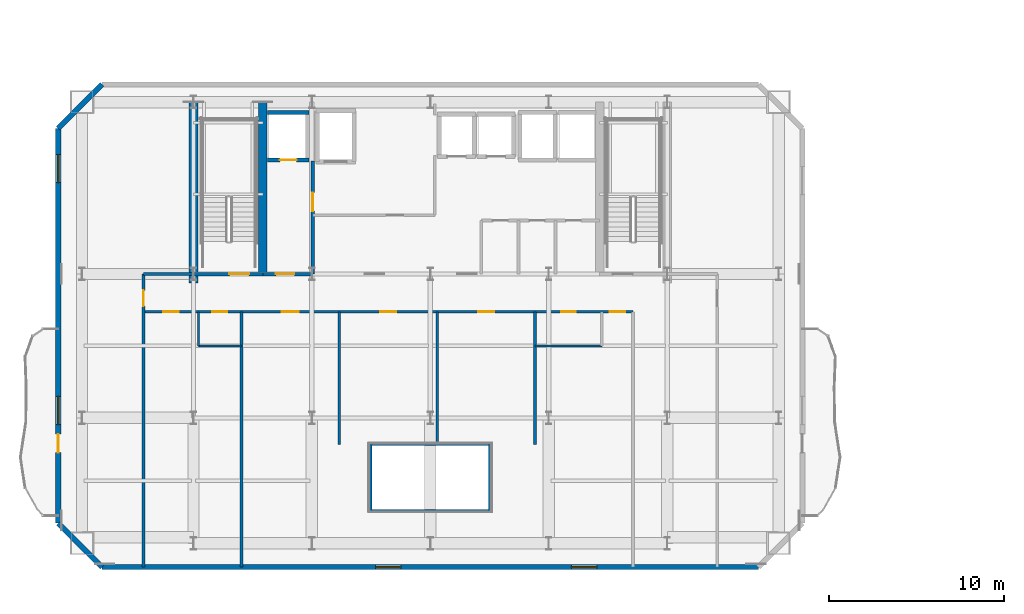
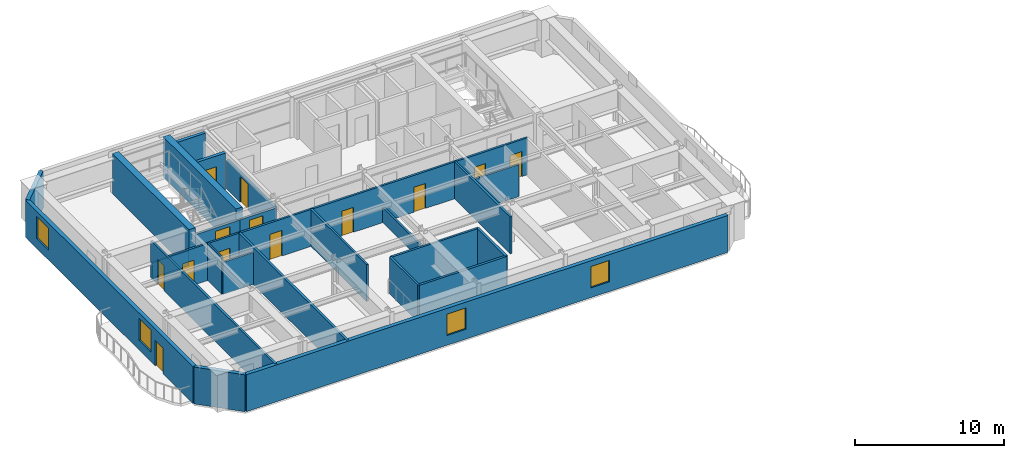
# One storey, part 7 of 15: 25 walls, 13 doors, 4 windows, 17 openings.
"""IFC4 building model written with IfcOpenShell, lengths in metres."""

from ifc_helpers import new_model, si_unit, direction, frame, frame_2d, origin, place, context, subcontext, project, spatial, rectangle, extrude, material, layer, layer_set, type_object, element, fill, save


model = new_model("IFC4")

# Units and contexts
model_context = context("Model", 3, precision=1e-05, world=origin(), true_north=direction((0.0, 1.0)))
body_context = subcontext(model_context, "Body", "Model", "MODEL_VIEW")
ifc_project = project(units=[si_unit("LENGTHUNIT", "METRE"), si_unit("AREAUNIT", "SQUARE_METRE"), si_unit("VOLUMEUNIT", "CUBIC_METRE"), si_unit("PLANEANGLEUNIT", "RADIAN"), si_unit("MASSUNIT", "GRAM", prefix="KILO")], contexts=[model_context])

# Site, building, storey
site_placement = place(None, origin())
site = spatial("IfcSite", under=ifc_project, at=site_placement, CompositionType="ELEMENT")
building_placement = place(site_placement, origin())
building = spatial("IfcBuilding", under=site, at=building_placement, Name="Haevon Station Towers", CompositionType="ELEMENT")
storey_placement = place(building_placement, frame((0.0, 0.0, 152.699951171875)))
storey = spatial("IfcBuildingStorey", under=building, at=storey_placement, Name="L41", CompositionType="ELEMENT", Elevation=152.699951171875)

# Walls
ifc_material_1 = material(Name="Gypsum board on steel stud", Category="steel")
ifc_layer_1 = layer(ifc_material_1, 0.179931640625)
ifc_layer_set_1 = layer_set([ifc_layer_1], Name="Gypsum board on steel stud")
wall_type_1 = type_object("IfcWallType", Name="WL-ACU180", PredefinedType="PARTITIONING", material=ifc_layer_set_1)
wall_1_placement = place(storey_placement, frame((34.10009765625, 24.699951171875, 0.0), z_axis=(0.0, 0.0, 1.0), x_axis=(1.0, 0.0, 0.0)))
element("IfcWall", 1, at=wall_1_placement, inside=storey, type_object=wall_type_1, Name="WL-T1PT-L41-06", PredefinedType="PARTITIONING", context=body_context, shape_type="SweptSolid", body=[
    extrude(rectangle(XDim=6.7998046875, YDim=0.179931640625, at=frame_2d((3.39990234375, 0.0))), origin(), (0.0, 0.0, 1.0), 3.030029296875),
])
wall_2_placement = place(storey_placement, frame((40.89990234375, 24.699951171875, 0.0), z_axis=(0.0, 0.0, 1.0), x_axis=(0.0, 1.0, 0.0)))
element("IfcWall", 2, at=wall_2_placement, inside=storey, type_object=wall_type_1, Name="WL-T1PT-L41-09", PredefinedType="PARTITIONING", context=body_context, shape_type="SweptSolid", body=[
    extrude(rectangle(XDim=3.800048828125, YDim=0.179931640625, at=frame_2d((1.89990234375, 0.0))), origin(), (0.0, 0.0, 1.0), 3.030029296875),
])
wall_3_placement = place(storey_placement, frame((26.72998046875, 21.5, 0.0), z_axis=(0.0, 0.0, 1.0), x_axis=(0.0, 1.0, 0.0)))
element("IfcWall", 3, at=wall_3_placement, inside=storey, type_object=wall_type_1, Name="WL-T1PT-L41-12", PredefinedType="PARTITIONING", context=body_context, shape_type="SweptSolid", body=[
    extrude(rectangle(XDim=14.550048828125, YDim=0.179931640625, at=frame_2d((7.27490234375, 0.0))), origin(), (0.0, 0.0, 1.0), 3.030029296875),
])

# Wall, opening, door
ifc_layer_2 = layer(ifc_material_1, 0.199951171875)
ifc_layer_set_2 = layer_set([ifc_layer_2], Name="Gypsum board on steel stud")
wall_type_2 = type_object("IfcWallType", Name="WL-COR200", PredefinedType="PARTITIONING", material=ifc_layer_set_2)
wall_4_placement = place(storey_placement, frame((24.0, 38.199951171875, 0.0), z_axis=(0.0, 0.0, 1.0), x_axis=(1.0, 0.0, 0.0)))
wall_4 = element("IfcWall", 4, at=wall_4_placement, inside=storey, type_object=wall_type_2, Name="WL-ST-ST1-L41", PredefinedType="PARTITIONING", context=body_context, shape_type="SweptSolid", body=[
    extrude(rectangle(XDim=3.949951171875, YDim=0.199951171875, at=frame_2d((1.97509765625, 0.0))), origin(), (0.0, 0.0, 1.0), 2.380126953125),
])
opening_1_placement = place(wall_4_placement, frame((2.050048828125, 0.0, 0.0)))
opening_1 = element("IfcOpeningElement", 5, at=opening_1_placement, cuts=wall_4, Name="Opening DR-ST-ST1-L41", PredefinedType="OPENING", context=body_context, shape_type="SweptSolid", body=[
    extrude(rectangle(XDim=1.1201171875, YDim=2.10009765625, at=frame_2d((0.56005859375, 1.050048828125))), frame((0.0, 0.10986328125, 0.0), z_axis=(0.0, -1.0, 0.0), x_axis=(1.0, 0.0, 0.0)), (0.0, 0.0, 1.0), 0.219970703125),
])
ifc_material_2 = material(Name="Engineered oak timber", Category="wood")
door_type_1 = type_object("IfcDoorType", Name="DR-ST-1120", OperationType="NOTDEFINED", PredefinedType="DOOR", material=ifc_material_2)
door_1_placement = place(opening_1_placement, origin())
door_1 = element("IfcDoor", 6, at=door_1_placement, inside=storey, type_object=door_type_1, Name="L41 Escape Stair ST1 Fire Door", OperationType="SINGLE_SWING_RIGHT", OverallHeight=2.10009765625, OverallWidth=1.1201171875, PredefinedType="DOOR", context=body_context, shape_type="SweptSolid", body=[
    extrude(rectangle(XDim=1.1201171875, YDim=2.10009765625, at=frame_2d((0.56005859375, 1.050048828125))), frame((0.0, 0.02490234375, 0.0), z_axis=(0.0, -1.0, 0.0), x_axis=(1.0, 0.0, 0.0)), (0.0, 0.0, 1.0), 0.050048828125),
])
fill(opening_1, door_1)

wall_5_placement = place(storey_placement, frame((30.800048828125, 38.199951171875, 0.0), z_axis=(0.0, 0.0, 1.0), x_axis=(0.0, 1.0, 0.0)))
wall_5 = element("IfcWall", 7, at=wall_5_placement, inside=storey, type_object=wall_type_2, Name="WL-T1FFL-L41-E", PredefinedType="PARTITIONING", context=body_context, shape_type="SweptSolid", body=[
    extrude(rectangle(XDim=6.449951171875, YDim=0.199951171875, at=frame_2d((3.22509765625, 0.0))), origin(), (0.0, 0.0, 1.0), 2.380126953125),
])
opening_2_placement = place(wall_5_placement, frame((3.590087890625, 0.0, 0.0)))
opening_2 = element("IfcOpeningElement", 8, at=opening_2_placement, cuts=wall_5, Name="Opening DR-T1FFL-L41-E", PredefinedType="OPENING", context=body_context, shape_type="SweptSolid", body=[
    extrude(rectangle(XDim=1.050048828125, YDim=2.10009765625, at=frame_2d((0.52490234375, 1.050048828125))), frame((0.0, 0.10986328125, 0.0), z_axis=(0.0, -1.0, 0.0), x_axis=(1.0, 0.0, 0.0)), (0.0, 0.0, 1.0), 0.219970703125),
])
door_type_2 = type_object("IfcDoorType", Name="DR-FD60-1050", OperationType="NOTDEFINED", PredefinedType="DOOR", material=ifc_material_2)
door_2_placement = place(opening_2_placement, origin())
door_2 = element("IfcDoor", 9, at=door_2_placement, inside=storey, type_object=door_type_2, Name="L41 Tower 1 Firefighting Lift Lobby Door E", OperationType="SINGLE_SWING_RIGHT", OverallHeight=2.10009765625, OverallWidth=1.050048828125, PredefinedType="DOOR", context=body_context, shape_type="SweptSolid", body=[
    extrude(rectangle(XDim=1.050048828125, YDim=2.10009765625, at=frame_2d((0.52490234375, 1.050048828125))), frame((0.0, 0.02490234375, 0.0), z_axis=(0.0, -1.0, 0.0), x_axis=(1.0, 0.0, 0.0)), (0.0, 0.0, 1.0), 0.050048828125),
])
fill(opening_2, door_2)

wall_6_placement = place(storey_placement, frame((27.949951171875, 38.199951171875, 0.0), z_axis=(0.0, 0.0, 1.0), x_axis=(1.0, 0.0, 0.0)))
wall_6 = element("IfcWall", 10, at=wall_6_placement, inside=storey, type_object=wall_type_2, Name="WL-T1FFL-L41-S", PredefinedType="PARTITIONING", context=body_context, shape_type="SweptSolid", body=[
    extrude(rectangle(XDim=2.85009765625, YDim=0.199951171875, at=frame_2d((1.425048828125, 0.0))), origin(), (0.0, 0.0, 1.0), 2.380126953125),
])
opening_3_placement = place(wall_6_placement, frame((0.75, 0.0, 0.0)))
opening_3 = element("IfcOpeningElement", 11, at=opening_3_placement, cuts=wall_6, Name="Opening DR-T1FFL-L41-S", PredefinedType="OPENING", context=body_context, shape_type="SweptSolid", body=[
    extrude(rectangle(XDim=1.050048828125, YDim=2.10009765625, at=frame_2d((0.52490234375, 1.050048828125))), frame((0.0, 0.10986328125, 0.0), z_axis=(0.0, -1.0, 0.0), x_axis=(1.0, 0.0, 0.0)), (0.0, 0.0, 1.0), 0.219970703125),
])
door_3_placement = place(opening_3_placement, origin())
door_3 = element("IfcDoor", 12, at=door_3_placement, inside=storey, type_object=door_type_2, Name="L41 Tower 1 Firefighting Lift Lobby Door S", OperationType="SINGLE_SWING_LEFT", OverallHeight=2.10009765625, OverallWidth=1.050048828125, PredefinedType="DOOR", context=body_context, shape_type="SweptSolid", body=[
    extrude(rectangle(XDim=1.050048828125, YDim=2.10009765625, at=frame_2d((0.52490234375, 1.050048828125))), frame((0.0, 0.02490234375, 0.0), z_axis=(0.0, -1.0, 0.0), x_axis=(1.0, 0.0, 0.0)), (0.0, 0.0, 1.0), 0.050048828125),
])
fill(opening_3, door_3)

# Walls
ifc_material_3 = material(Name="Concrete C60/75", Category="concrete")
ifc_layer_3 = layer(ifc_material_3, 0.5)
ifc_layer_set_3 = layer_set([ifc_layer_3], Name="Concrete C60/75")
wall_type_3 = type_object("IfcWallType", Name="WL-CR500", PredefinedType="SHEAR", material=ifc_layer_set_3)
wall_7_placement = place(storey_placement, frame((24.0, 37.679931640625, 0.0), z_axis=(0.0, 0.0, 1.0), x_axis=(0.0, 1.0, 0.0)))
element("IfcWall", 13, at=wall_7_placement, inside=storey, type_object=wall_type_3, Name="WL-T1CR-L41-W", PredefinedType="SHEAR", context=body_context, shape_type="SweptSolid", body=[
    extrude(rectangle(XDim=10.320068359375, YDim=0.5, at=frame_2d((5.16015625, 0.0))), origin(), (0.0, 0.0, 1.0), 3.300048828125),
])
wall_8_placement = place(storey_placement, frame((27.949951171875, 38.199951171875, 0.0), z_axis=(0.0, 0.0, 1.0), x_axis=(0.0, 1.0, 0.0)))
element("IfcWall", 14, at=wall_8_placement, inside=storey, type_object=wall_type_3, Name="WL-T1CR-L41-M1", PredefinedType="SHEAR", context=body_context, shape_type="SweptSolid", body=[
    extrude(rectangle(XDim=9.800048828125, YDim=0.5, at=frame_2d((4.89990234375, 0.0))), origin(), (0.0, 0.0, 1.0), 3.300048828125),
])

# Wall, openings, windows
ifc_material_4 = material(Name="Precast concrete C45/55", Category="concrete")
ifc_layer_4 = layer(ifc_material_4, 0.300048828125)
ifc_layer_set_4 = layer_set([ifc_layer_4], Name="Precast concrete C45/55")
wall_type_4 = type_object("IfcWallType", Name="WL-EXT-PIER300", PredefinedType="SOLIDWALL", material=ifc_layer_set_4)
wall_9_placement = place(storey_placement, frame((56.199951171875, 21.5, 0.0), z_axis=(0.0, 0.0, 1.0), x_axis=(-1.0, 0.0, 0.0)))
wall_9 = element("IfcWall", 15, at=wall_9_placement, inside=storey, type_object=wall_type_4, Name="WL-T1-L41-S", PredefinedType="SOLIDWALL", context=body_context, shape_type="SweptSolid", body=[
    extrude(rectangle(XDim=37.39990234375, YDim=0.300048828125, at=frame_2d((18.699951171875, 0.0))), origin(), (0.0, 0.0, 1.0), 3.030029296875),
])
opening_4_placement = place(wall_9_placement, frame((20.375, 0.0, 0.800048828125)))
opening_4 = element("IfcOpeningElement", 16, at=opening_4_placement, cuts=wall_9, Name="Opening WN-P145", PredefinedType="OPENING", context=body_context, shape_type="SweptSolid", body=[
    extrude(rectangle(XDim=1.449951171875, YDim=1.75, at=frame_2d((0.72509765625, 0.875))), frame((0.0, 0.159912109375, 0.0), z_axis=(0.0, -1.0, 0.0), x_axis=(1.0, 0.0, 0.0)), (0.0, 0.0, 1.0), 0.320068359375),
])
opening_5_placement = place(wall_9_placement, frame((9.215087890625, 0.0, 0.800048828125)))
opening_5 = element("IfcOpeningElement", 17, at=opening_5_placement, cuts=wall_9, Name="Opening WN-P145", PredefinedType="OPENING", context=body_context, shape_type="SweptSolid", body=[
    extrude(rectangle(XDim=1.449951171875, YDim=1.75, at=frame_2d((0.72509765625, 0.875))), frame((0.0, 0.159912109375, 0.0), z_axis=(0.0, -1.0, 0.0), x_axis=(1.0, 0.0, 0.0)), (0.0, 0.0, 1.0), 0.320068359375),
])
ifc_material_5 = material(Name="Low-E triple glazing in thermally broken aluminium", Category="aluminium")
window_type_1 = type_object("IfcWindowType", Name="WN-P145", PartitioningType="SINGLE_PANEL", PredefinedType="WINDOW", material=ifc_material_5)
window_1_placement = place(opening_4_placement, origin())
window_1 = element("IfcWindow", 18, at=window_1_placement, inside=storey, type_object=window_type_1, Name="WN-T1-L41-S01", OverallHeight=1.75, OverallWidth=1.449951171875, PartitioningType="SINGLE_PANEL", PredefinedType="WINDOW", context=body_context, shape_type="SweptSolid", body=[
    extrude(rectangle(XDim=1.449951171875, YDim=1.75, at=frame_2d((0.72509765625, 0.875))), frame((0.0, 0.030029296875, 0.0), z_axis=(0.0, -1.0, 0.0), x_axis=(1.0, 0.0, 0.0)), (0.0, 0.0, 1.0), 0.06005859375),
])
fill(opening_4, window_1)
window_2_placement = place(opening_5_placement, origin())
window_2 = element("IfcWindow", 19, at=window_2_placement, inside=storey, type_object=window_type_1, Name="WN-T1-L41-S02", OverallHeight=1.75, OverallWidth=1.449951171875, PartitioningType="SINGLE_PANEL", PredefinedType="WINDOW", context=body_context, shape_type="SweptSolid", body=[
    extrude(rectangle(XDim=1.449951171875, YDim=1.75, at=frame_2d((0.72509765625, 0.875))), frame((0.0, 0.030029296875, 0.0), z_axis=(0.0, -1.0, 0.0), x_axis=(1.0, 0.0, 0.0)), (0.0, 0.0, 1.0), 0.06005859375),
])
fill(opening_5, window_2)

# Wall
wall_10_placement = place(storey_placement, frame((18.800048828125, 21.5, 0.0), z_axis=(0.0, 0.0, 1.0), x_axis=(-0.707106781187, 0.707106781187, 0.0)))
element("IfcWall", 20, at=wall_10_placement, inside=storey, type_object=wall_type_4, Name="WL-T1-L41-SWC", PredefinedType="SOLIDWALL", context=body_context, shape_type="SweptSolid", body=[
    extrude(rectangle(XDim=3.53564453125, YDim=0.300048828125, at=frame_2d((1.767822265625, 0.0))), origin(), (0.0, 0.0, 1.0), 3.030029296875),
])

# Wall, openings, door, windows
wall_11_placement = place(storey_placement, frame((16.300048828125, 24.0, 0.0), z_axis=(0.0, 0.0, 1.0), x_axis=(0.0, 1.0, 0.0)))
wall_11 = element("IfcWall", 21, at=wall_11_placement, inside=storey, type_object=wall_type_4, Name="WL-T1-L41-W", PredefinedType="SOLIDWALL", context=body_context, shape_type="SweptSolid", body=[
    extrude(rectangle(XDim=22.5, YDim=0.300048828125, at=frame_2d((11.25, 0.0))), origin(), (0.0, 0.0, 1.0), 3.030029296875),
])
opening_6_placement = place(wall_11_placement, frame((4.02490234375, 0.0, 0.0)))
opening_6 = element("IfcOpeningElement", 22, at=opening_6_placement, cuts=wall_11, Name="Opening DR-T1-SCAL-L41-W", PredefinedType="OPENING", context=body_context, shape_type="SweptSolid", body=[
    extrude(rectangle(XDim=1.050048828125, YDim=2.10009765625, at=frame_2d((0.52490234375, 1.050048828125))), frame((0.0, 0.159912109375, 0.0), z_axis=(0.0, -1.0, 0.0), x_axis=(1.0, 0.0, 0.0)), (0.0, 0.0, 1.0), 0.320068359375),
])
opening_7_placement = place(wall_11_placement, frame((5.625, 0.0, 0.800048828125)))
opening_7 = element("IfcOpeningElement", 23, at=opening_7_placement, cuts=wall_11, Name="Opening WN-END160", PredefinedType="OPENING", context=body_context, shape_type="SweptSolid", body=[
    extrude(rectangle(XDim=1.60009765625, YDim=1.800048828125, at=frame_2d((0.800048828125, 0.89990234375))), frame((0.0, 0.159912109375, 0.0), z_axis=(0.0, -1.0, 0.0), x_axis=(1.0, 0.0, 0.0)), (0.0, 0.0, 1.0), 0.320068359375),
])
opening_8_placement = place(wall_11_placement, frame((19.41064453125, 0.0, 0.800048828125)))
opening_8 = element("IfcOpeningElement", 24, at=opening_8_placement, cuts=wall_11, Name="Opening WN-END160", PredefinedType="OPENING", context=body_context, shape_type="SweptSolid", body=[
    extrude(rectangle(XDim=1.60009765625, YDim=1.800048828125, at=frame_2d((0.800048828125, 0.89990234375))), frame((0.0, 0.159912109375, 0.0), z_axis=(0.0, -1.0, 0.0), x_axis=(1.0, 0.0, 0.0)), (0.0, 0.0, 1.0), 0.320068359375),
])
ifc_material_6 = material(Name="Thermally broken anodised aluminium and laminated safety glass", Category="aluminium")
door_type_3 = type_object("IfcDoorType", Name="DR-BALC-1050", OperationType="NOTDEFINED", PredefinedType="DOOR", material=ifc_material_6)
door_4_placement = place(opening_6_placement, origin())
door_4 = element("IfcDoor", 25, at=door_4_placement, inside=storey, type_object=door_type_3, Name="Tower 1 L41 West Scalloped Balcony Door", OperationType="SINGLE_SWING_RIGHT", OverallHeight=2.10009765625, OverallWidth=1.050048828125, PredefinedType="DOOR", context=body_context, shape_type="SweptSolid", body=[
    extrude(rectangle(XDim=1.050048828125, YDim=2.10009765625, at=frame_2d((0.52490234375, 1.050048828125))), frame((0.0, 0.02490234375, 0.0), z_axis=(0.0, -1.0, 0.0), x_axis=(1.0, 0.0, 0.0)), (0.0, 0.0, 1.0), 0.050048828125),
])
fill(opening_6, door_4)
window_type_2 = type_object("IfcWindowType", Name="WN-END160", PartitioningType="SINGLE_PANEL", PredefinedType="WINDOW", material=ifc_material_5)
window_3_placement = place(opening_7_placement, origin())
window_3 = element("IfcWindow", 26, at=window_3_placement, inside=storey, type_object=window_type_2, Name="WN-T1-L41-W01", OverallHeight=1.800048828125, OverallWidth=1.60009765625, PartitioningType="SINGLE_PANEL", PredefinedType="WINDOW", context=body_context, shape_type="SweptSolid", body=[
    extrude(rectangle(XDim=1.60009765625, YDim=1.800048828125, at=frame_2d((0.800048828125, 0.89990234375))), frame((0.0, 0.030029296875, 0.0), z_axis=(0.0, -1.0, 0.0), x_axis=(1.0, 0.0, 0.0)), (0.0, 0.0, 1.0), 0.06005859375),
])
fill(opening_7, window_3)
window_4_placement = place(opening_8_placement, origin())
window_4 = element("IfcWindow", 27, at=window_4_placement, inside=storey, type_object=window_type_2, Name="WN-T1-L41-W02", OverallHeight=1.800048828125, OverallWidth=1.60009765625, PartitioningType="SINGLE_PANEL", PredefinedType="WINDOW", context=body_context, shape_type="SweptSolid", body=[
    extrude(rectangle(XDim=1.60009765625, YDim=1.800048828125, at=frame_2d((0.800048828125, 0.89990234375))), frame((0.0, 0.030029296875, 0.0), z_axis=(0.0, -1.0, 0.0), x_axis=(1.0, 0.0, 0.0)), (0.0, 0.0, 1.0), 0.06005859375),
])
fill(opening_8, window_4)

# Walls
wall_12_placement = place(storey_placement, frame((16.300048828125, 46.5, 0.0), z_axis=(0.0, 0.0, 1.0), x_axis=(0.707106781187, 0.707106781187, 0.0)))
element("IfcWall", 28, at=wall_12_placement, inside=storey, type_object=wall_type_4, Name="WL-T1-L41-NWC", PredefinedType="SOLIDWALL", context=body_context, shape_type="SweptSolid", body=[
    extrude(rectangle(XDim=3.53564453125, YDim=0.300048828125, at=frame_2d((1.767822265625, 0.0))), origin(), (0.0, 0.0, 1.0), 3.030029296875),
])
ifc_layer_5 = layer(ifc_material_1, 0.125)
ifc_layer_set_5 = layer_set([ifc_layer_5], Name="Gypsum board on steel stud")
wall_type_5 = type_object("IfcWallType", Name="WL-PRT125", PredefinedType="PARTITIONING", material=ifc_layer_set_5)
wall_13_placement = place(storey_placement, frame((24.280029296875, 34.10009765625, 0.0), z_axis=(0.0, 0.0, 1.0), x_axis=(1.0, 0.0, 0.0)))
element("IfcWall", 29, at=wall_13_placement, inside=storey, type_object=wall_type_5, Name="WL-T1PT-L41-10", PredefinedType="PARTITIONING", context=body_context, shape_type="SweptSolid", body=[
    extrude(rectangle(XDim=2.449951171875, YDim=0.125, at=frame_2d((1.22509765625, 0.0))), origin(), (0.0, 0.0, 1.0), 2.630126953125),
])
wall_14_placement = place(storey_placement, frame((24.280029296875, 34.10009765625, 0.0), z_axis=(0.0, 0.0, 1.0), x_axis=(0.0, 1.0, 0.0)))
element("IfcWall", 30, at=wall_14_placement, inside=storey, type_object=wall_type_5, Name="WL-T1PT-L41-11", PredefinedType="PARTITIONING", context=body_context, shape_type="SweptSolid", body=[
    extrude(rectangle(XDim=1.949951171875, YDim=0.125, at=frame_2d((0.97509765625, 0.0))), origin(), (0.0, 0.0, 1.0), 3.030029296875),
])
wall_15_placement = place(storey_placement, frame((43.469970703125, 34.10009765625, 0.0), z_axis=(0.0, 0.0, 1.0), x_axis=(1.0, 0.0, 0.0)))
element("IfcWall", 31, at=wall_15_placement, inside=storey, type_object=wall_type_5, Name="WL-T1PT-L41-18", PredefinedType="PARTITIONING", context=body_context, shape_type="SweptSolid", body=[
    extrude(rectangle(XDim=3.800048828125, YDim=0.125, at=frame_2d((1.89990234375, 0.0))), origin(), (0.0, 0.0, 1.0), 2.630126953125),
])
ifc_layer_6 = layer(ifc_material_1, 0.159912109375)
ifc_layer_set_6 = layer_set([ifc_layer_6], Name="Gypsum board on steel stud")
wall_type_6 = type_object("IfcWallType", Name="WL-PRT160", PredefinedType="PARTITIONING", material=ifc_layer_set_6)
wall_16_placement = place(storey_placement, frame((21.14990234375, 38.199951171875, 0.0), z_axis=(0.0, 0.0, 1.0), x_axis=(1.0, 0.0, 0.0)))
element("IfcWall", 32, at=wall_16_placement, inside=storey, type_object=wall_type_6, Name="WL-T1PT-L41-02", PredefinedType="PARTITIONING", context=body_context, shape_type="SweptSolid", body=[
    extrude(rectangle(XDim=2.85009765625, YDim=0.159912109375, at=frame_2d((1.425048828125, 0.0))), origin(), (0.0, 0.0, 1.0), 1.22998046875),
])

# Wall, opening, door
wall_17_placement = place(storey_placement, frame((21.14990234375, 21.5, 0.0), z_axis=(0.0, 0.0, 1.0), x_axis=(0.0, 1.0, 0.0)))
wall_17 = element("IfcWall", 33, at=wall_17_placement, inside=storey, type_object=wall_type_6, Name="WL-T1PT-L41-04", PredefinedType="PARTITIONING", context=body_context, shape_type="SweptSolid", body=[
    extrude(rectangle(XDim=16.699951171875, YDim=0.159912109375, at=frame_2d((8.35009765625, 0.0))), origin(), (0.0, 0.0, 1.0), 3.030029296875),
])
opening_9_placement = place(wall_17_placement, frame((14.8701171875, 0.0, 0.0)))
opening_9 = element("IfcOpeningElement", 34, at=opening_9_placement, cuts=wall_17, Name="Opening DR-WL-T1PT-L41-04-01", PredefinedType="OPENING", context=body_context, shape_type="SweptSolid", body=[
    extrude(rectangle(XDim=0.89990234375, YDim=2.050048828125, at=frame_2d((0.449951171875, 1.02490234375))), frame((0.0, 0.08984375, 0.0), z_axis=(0.0, -1.0, 0.0), x_axis=(1.0, 0.0, 0.0)), (0.0, 0.0, 1.0), 0.179931640625),
])
door_type_4 = type_object("IfcDoorType", Name="DR-INT-900", OperationType="NOTDEFINED", PredefinedType="DOOR", material=ifc_material_2)
door_5_placement = place(opening_9_placement, origin())
door_5 = element("IfcDoor", 35, at=door_5_placement, inside=storey, type_object=door_type_4, Name="L41 Tower 1 Room Door 4-1", OperationType="SINGLE_SWING_RIGHT", OverallHeight=2.050048828125, OverallWidth=0.89990234375, PredefinedType="DOOR", context=body_context, shape_type="SweptSolid", body=[
    extrude(rectangle(XDim=0.89990234375, YDim=2.050048828125, at=frame_2d((0.449951171875, 1.02490234375))), frame((0.0, 0.02490234375, 0.0), z_axis=(0.0, -1.0, 0.0), x_axis=(1.0, 0.0, 0.0)), (0.0, 0.0, 1.0), 0.050048828125),
])
fill(opening_9, door_5)

# Walls
wall_18_placement = place(storey_placement, frame((34.10009765625, 28.5, 0.0), z_axis=(0.0, 0.0, 1.0), x_axis=(1.0, 0.0, 0.0)))
element("IfcWall", 36, at=wall_18_placement, inside=storey, type_object=wall_type_6, Name="WL-T1PT-L41-07", PredefinedType="PARTITIONING", context=body_context, shape_type="SweptSolid", body=[
    extrude(rectangle(XDim=6.7998046875, YDim=0.159912109375, at=frame_2d((3.39990234375, 0.0))), origin(), (0.0, 0.0, 1.0), 3.030029296875),
])
wall_19_placement = place(storey_placement, frame((34.10009765625, 24.699951171875, 0.0), z_axis=(0.0, 0.0, 1.0), x_axis=(0.0, 1.0, 0.0)))
element("IfcWall", 37, at=wall_19_placement, inside=storey, type_object=wall_type_6, Name="WL-T1PT-L41-08", PredefinedType="PARTITIONING", context=body_context, shape_type="SweptSolid", body=[
    extrude(rectangle(XDim=3.800048828125, YDim=0.159912109375, at=frame_2d((1.89990234375, 0.0))), origin(), (0.0, 0.0, 1.0), 3.030029296875),
])
wall_20_placement = place(storey_placement, frame((32.31005859375, 28.5, 0.0), z_axis=(0.0, 0.0, 1.0), x_axis=(0.0, 1.0, 0.0)))
element("IfcWall", 38, at=wall_20_placement, inside=storey, type_object=wall_type_6, Name="WL-T1PT-L41-13", PredefinedType="PARTITIONING", context=body_context, shape_type="SweptSolid", body=[
    extrude(rectangle(XDim=7.550048828125, YDim=0.159912109375, at=frame_2d((3.77490234375, 0.0))), origin(), (0.0, 0.0, 1.0), 3.030029296875),
])
wall_21_placement = place(storey_placement, frame((37.889892578125, 28.5, 0.0), z_axis=(0.0, 0.0, 1.0), x_axis=(0.0, 1.0, 0.0)))
element("IfcWall", 39, at=wall_21_placement, inside=storey, type_object=wall_type_6, Name="WL-T1PT-L41-14", PredefinedType="PARTITIONING", context=body_context, shape_type="SweptSolid", body=[
    extrude(rectangle(XDim=7.550048828125, YDim=0.159912109375, at=frame_2d((3.77490234375, 0.0))), origin(), (0.0, 0.0, 1.0), 1.22998046875),
])
wall_22_placement = place(storey_placement, frame((43.469970703125, 28.5, 0.0), z_axis=(0.0, 0.0, 1.0), x_axis=(0.0, 1.0, 0.0)))
element("IfcWall", 40, at=wall_22_placement, inside=storey, type_object=wall_type_6, Name="WL-T1PT-L41-16", PredefinedType="PARTITIONING", context=body_context, shape_type="SweptSolid", body=[
    extrude(rectangle(XDim=7.550048828125, YDim=0.159912109375, at=frame_2d((3.77490234375, 0.0))), origin(), (0.0, 0.0, 1.0), 3.030029296875),
])

# Wall, openings, doors
wall_23_placement = place(storey_placement, frame((21.14990234375, 36.050048828125, 0.0), z_axis=(0.0, 0.0, 1.0), x_axis=(1.0, 0.0, 0.0)))
wall_23 = element("IfcWall", 41, at=wall_23_placement, inside=storey, type_object=wall_type_6, Name="WL-T1PT-L41-20", PredefinedType="PARTITIONING", context=body_context, shape_type="SweptSolid", body=[
    extrude(rectangle(XDim=27.900146484375, YDim=0.159912109375, at=frame_2d((13.9501953125, 0.0))), origin(), (0.0, 0.0, 1.0), 3.030029296875),
])
opening_10_placement = place(wall_23_placement, frame((3.929931640625, 0.0, 0.0)))
opening_10 = element("IfcOpeningElement", 42, at=opening_10_placement, cuts=wall_23, Name="Opening DR-WL-T1PT-L41-20-01", PredefinedType="OPENING", context=body_context, shape_type="SweptSolid", body=[
    extrude(rectangle(XDim=0.85009765625, YDim=2.050048828125, at=frame_2d((0.425048828125, 1.02490234375))), frame((0.0, 0.08984375, 0.0), z_axis=(0.0, -1.0, 0.0), x_axis=(1.0, 0.0, 0.0)), (0.0, 0.0, 1.0), 0.179931640625),
])
opening_11_placement = place(wall_23_placement, frame((1.114990234375, 0.0, 0.0)))
opening_11 = element("IfcOpeningElement", 43, at=opening_11_placement, cuts=wall_23, Name="Opening DR-WL-T1PT-L41-20-02", PredefinedType="OPENING", context=body_context, shape_type="SweptSolid", body=[
    extrude(rectangle(XDim=0.89990234375, YDim=2.050048828125, at=frame_2d((0.449951171875, 1.02490234375))), frame((0.0, 0.08984375, 0.0), z_axis=(0.0, -1.0, 0.0), x_axis=(1.0, 0.0, 0.0)), (0.0, 0.0, 1.0), 0.179931640625),
])
opening_12_placement = place(wall_23_placement, frame((7.89501953125, 0.0, 0.0)))
opening_12 = element("IfcOpeningElement", 44, at=opening_12_placement, cuts=wall_23, Name="Opening DR-WL-T1PT-L41-20-03", PredefinedType="OPENING", context=body_context, shape_type="SweptSolid", body=[
    extrude(rectangle(XDim=0.949951171875, YDim=2.10009765625, at=frame_2d((0.47509765625, 1.050048828125))), frame((0.0, 0.08984375, 0.0), z_axis=(0.0, -1.0, 0.0), x_axis=(1.0, 0.0, 0.0)), (0.0, 0.0, 1.0), 0.179931640625),
])
opening_13_placement = place(wall_23_placement, frame((13.5, 0.0, 0.0)))
opening_13 = element("IfcOpeningElement", 45, at=opening_13_placement, cuts=wall_23, Name="Opening DR-WL-T1PT-L41-20-04", PredefinedType="OPENING", context=body_context, shape_type="SweptSolid", body=[
    extrude(rectangle(XDim=0.89990234375, YDim=2.050048828125, at=frame_2d((0.449951171875, 1.02490234375))), frame((0.0, 0.08984375, 0.0), z_axis=(0.0, -1.0, 0.0), x_axis=(1.0, 0.0, 0.0)), (0.0, 0.0, 1.0), 0.179931640625),
])
opening_14_placement = place(wall_23_placement, frame((19.080078125, 0.0, 0.0)))
opening_14 = element("IfcOpeningElement", 46, at=opening_14_placement, cuts=wall_23, Name="Opening DR-WL-T1PT-L41-20-05", PredefinedType="OPENING", context=body_context, shape_type="SweptSolid", body=[
    extrude(rectangle(XDim=0.89990234375, YDim=2.050048828125, at=frame_2d((0.449951171875, 1.02490234375))), frame((0.0, 0.08984375, 0.0), z_axis=(0.0, -1.0, 0.0), x_axis=(1.0, 0.0, 0.0)), (0.0, 0.0, 1.0), 0.179931640625),
])
opening_15_placement = place(wall_23_placement, frame((23.794921875, 0.0, 0.0)))
opening_15 = element("IfcOpeningElement", 47, at=opening_15_placement, cuts=wall_23, Name="Opening DR-WL-T1PT-L41-20-06", PredefinedType="OPENING", context=body_context, shape_type="SweptSolid", body=[
    extrude(rectangle(XDim=0.85009765625, YDim=2.050048828125, at=frame_2d((0.425048828125, 1.02490234375))), frame((0.0, 0.08984375, 0.0), z_axis=(0.0, -1.0, 0.0), x_axis=(1.0, 0.0, 0.0)), (0.0, 0.0, 1.0), 0.179931640625),
])
opening_16_placement = place(wall_23_placement, frame((26.56005859375, 0.0, 0.0)))
opening_16 = element("IfcOpeningElement", 48, at=opening_16_placement, cuts=wall_23, Name="Opening DR-WL-T1PT-L41-20-07", PredefinedType="OPENING", context=body_context, shape_type="SweptSolid", body=[
    extrude(rectangle(XDim=0.89990234375, YDim=2.050048828125, at=frame_2d((0.449951171875, 1.02490234375))), frame((0.0, 0.08984375, 0.0), z_axis=(0.0, -1.0, 0.0), x_axis=(1.0, 0.0, 0.0)), (0.0, 0.0, 1.0), 0.179931640625),
])
door_type_5 = type_object("IfcDoorType", Name="DR-FD30-850", OperationType="NOTDEFINED", PredefinedType="DOOR", material=ifc_material_2)
door_6_placement = place(opening_10_placement, origin())
door_6 = element("IfcDoor", 49, at=door_6_placement, inside=storey, type_object=door_type_5, Name="L41 Tower 1 Room Door 20-1", OperationType="SINGLE_SWING_RIGHT", OverallHeight=2.050048828125, OverallWidth=0.85009765625, PredefinedType="DOOR", context=body_context, shape_type="SweptSolid", body=[
    extrude(rectangle(XDim=0.85009765625, YDim=2.050048828125, at=frame_2d((0.425048828125, 1.02490234375))), frame((0.0, 0.02490234375, 0.0), z_axis=(0.0, -1.0, 0.0), x_axis=(1.0, 0.0, 0.0)), (0.0, 0.0, 1.0), 0.050048828125),
])
fill(opening_10, door_6)
door_7_placement = place(opening_15_placement, origin())
door_7 = element("IfcDoor", 50, at=door_7_placement, inside=storey, type_object=door_type_5, Name="L41 Tower 1 Room Door 20-6", OperationType="SINGLE_SWING_LEFT", OverallHeight=2.050048828125, OverallWidth=0.85009765625, PredefinedType="DOOR", context=body_context, shape_type="SweptSolid", body=[
    extrude(rectangle(XDim=0.85009765625, YDim=2.050048828125, at=frame_2d((0.425048828125, 1.02490234375))), frame((0.0, 0.02490234375, 0.0), z_axis=(0.0, -1.0, 0.0), x_axis=(1.0, 0.0, 0.0)), (0.0, 0.0, 1.0), 0.050048828125),
])
fill(opening_15, door_7)
door_type_6 = type_object("IfcDoorType", Name="DR-FD30-950", OperationType="NOTDEFINED", PredefinedType="DOOR", material=ifc_material_2)
door_8_placement = place(opening_12_placement, origin())
door_8 = element("IfcDoor", 51, at=door_8_placement, inside=storey, type_object=door_type_6, Name="L41 Tower 1 Room Door 20-3", OperationType="SINGLE_SWING_RIGHT", OverallHeight=2.10009765625, OverallWidth=0.949951171875, PredefinedType="DOOR", context=body_context, shape_type="SweptSolid", body=[
    extrude(rectangle(XDim=0.949951171875, YDim=2.10009765625, at=frame_2d((0.47509765625, 1.050048828125))), frame((0.0, 0.02490234375, 0.0), z_axis=(0.0, -1.0, 0.0), x_axis=(1.0, 0.0, 0.0)), (0.0, 0.0, 1.0), 0.050048828125),
])
fill(opening_12, door_8)
door_9_placement = place(opening_11_placement, origin())
door_9 = element("IfcDoor", 52, at=door_9_placement, inside=storey, type_object=door_type_4, Name="L41 Tower 1 Room Door 20-2", OperationType="SINGLE_SWING_LEFT", OverallHeight=2.050048828125, OverallWidth=0.89990234375, PredefinedType="DOOR", context=body_context, shape_type="SweptSolid", body=[
    extrude(rectangle(XDim=0.89990234375, YDim=2.050048828125, at=frame_2d((0.449951171875, 1.02490234375))), frame((0.0, 0.02490234375, 0.0), z_axis=(0.0, -1.0, 0.0), x_axis=(1.0, 0.0, 0.0)), (0.0, 0.0, 1.0), 0.050048828125),
])
fill(opening_11, door_9)
door_10_placement = place(opening_13_placement, origin())
door_10 = element("IfcDoor", 53, at=door_10_placement, inside=storey, type_object=door_type_4, Name="L41 Tower 1 Room Door 20-4", OperationType="SINGLE_SWING_LEFT", OverallHeight=2.050048828125, OverallWidth=0.89990234375, PredefinedType="DOOR", context=body_context, shape_type="SweptSolid", body=[
    extrude(rectangle(XDim=0.89990234375, YDim=2.050048828125, at=frame_2d((0.449951171875, 1.02490234375))), frame((0.0, 0.02490234375, 0.0), z_axis=(0.0, -1.0, 0.0), x_axis=(1.0, 0.0, 0.0)), (0.0, 0.0, 1.0), 0.050048828125),
])
fill(opening_13, door_10)
door_11_placement = place(opening_14_placement, origin())
door_11 = element("IfcDoor", 54, at=door_11_placement, inside=storey, type_object=door_type_4, Name="L41 Tower 1 Room Door 20-5", OperationType="SINGLE_SWING_RIGHT", OverallHeight=2.050048828125, OverallWidth=0.89990234375, PredefinedType="DOOR", context=body_context, shape_type="SweptSolid", body=[
    extrude(rectangle(XDim=0.89990234375, YDim=2.050048828125, at=frame_2d((0.449951171875, 1.02490234375))), frame((0.0, 0.02490234375, 0.0), z_axis=(0.0, -1.0, 0.0), x_axis=(1.0, 0.0, 0.0)), (0.0, 0.0, 1.0), 0.050048828125),
])
fill(opening_14, door_11)
door_12_placement = place(opening_16_placement, origin())
door_12 = element("IfcDoor", 55, at=door_12_placement, inside=storey, type_object=door_type_4, Name="L41 Tower 1 Room Door 20-7", OperationType="SINGLE_SWING_RIGHT", OverallHeight=2.050048828125, OverallWidth=0.89990234375, PredefinedType="DOOR", context=body_context, shape_type="SweptSolid", body=[
    extrude(rectangle(XDim=0.89990234375, YDim=2.050048828125, at=frame_2d((0.449951171875, 1.02490234375))), frame((0.0, 0.02490234375, 0.0), z_axis=(0.0, -1.0, 0.0), x_axis=(1.0, 0.0, 0.0)), (0.0, 0.0, 1.0), 0.050048828125),
])
fill(opening_16, door_12)

# Wall, opening, door
ifc_material_7 = material(Name="Concrete C40/50", Category="concrete")
ifc_layer_7 = layer(ifc_material_7, 0.239990234375)
ifc_layer_set_7 = layer_set([ifc_layer_7], Name="Concrete C40/50")
wall_type_7 = type_object("IfcWallType", Name="WL-SHF240", PredefinedType="PARTITIONING", material=ifc_layer_set_7)
wall_24_placement = place(storey_placement, frame((28.219970703125, 44.699951171875, 0.0), z_axis=(0.0, 0.0, 1.0), x_axis=(1.0, 0.0, 0.0)))
wall_24 = element("IfcWall", 56, at=wall_24_placement, inside=storey, type_object=wall_type_7, Name="WL-SHF-FL1-L41", PredefinedType="PARTITIONING", context=body_context, shape_type="SweptSolid", body=[
    extrude(rectangle(XDim=2.360107421875, YDim=0.239990234375, at=frame_2d((1.18017578125, 0.0))), origin(), (0.0, 0.0, 1.0), 3.030029296875),
])
opening_17_placement = place(wall_24_placement, frame((0.705078125, 0.0, 0.0)))
opening_17 = element("IfcOpeningElement", 57, at=opening_17_placement, cuts=wall_24, Name="Opening LD-FL1-L41", PredefinedType="OPENING", context=body_context, shape_type="SweptSolid", body=[
    extrude(rectangle(XDim=0.949951171875, YDim=2.14990234375, at=frame_2d((0.47509765625, 1.074951171875))), frame((0.0, 0.1298828125, 0.0), z_axis=(0.0, -1.0, 0.0), x_axis=(1.0, 0.0, 0.0)), (0.0, 0.0, 1.0), 0.260009765625),
])
ifc_material_8 = material(Name="Stainless steel and rated core", Category="steel")
door_type_7 = type_object("IfcDoorType", Name="LD-FL950", OperationType="SLIDING_TO_LEFT", PredefinedType="DOOR", material=ifc_material_8)
door_13_placement = place(opening_17_placement, origin())
door_13 = element("IfcDoor", 58, at=door_13_placement, inside=storey, type_object=door_type_7, Name="L41 Lift FL1 Sliding Landing Door", OperationType="SLIDING_TO_LEFT", OverallHeight=2.14990234375, OverallWidth=0.949951171875, PredefinedType="DOOR", context=body_context, shape_type="SweptSolid", body=[
    extrude(rectangle(XDim=0.949951171875, YDim=2.14990234375, at=frame_2d((0.47509765625, 1.074951171875))), frame((0.0, 0.02490234375, 0.0), z_axis=(0.0, -1.0, 0.0), x_axis=(1.0, 0.0, 0.0)), (0.0, 0.0, 1.0), 0.050048828125),
])
fill(opening_17, door_13)

# Wall
wall_25_placement = place(storey_placement, frame((28.219970703125, 47.39990234375, 0.0), z_axis=(0.0, 0.0, 1.0), x_axis=(1.0, 0.0, 0.0)))
element("IfcWall", 59, at=wall_25_placement, inside=storey, type_object=wall_type_7, Name="WL-SHF-FL1-L41-N", PredefinedType="PARTITIONING", context=body_context, shape_type="SweptSolid", body=[
    extrude(rectangle(XDim=2.360107421875, YDim=0.239990234375, at=frame_2d((1.18017578125, 0.0))), origin(), (0.0, 0.0, 1.0), 3.030029296875),
])

save(model, "model.ifc")
